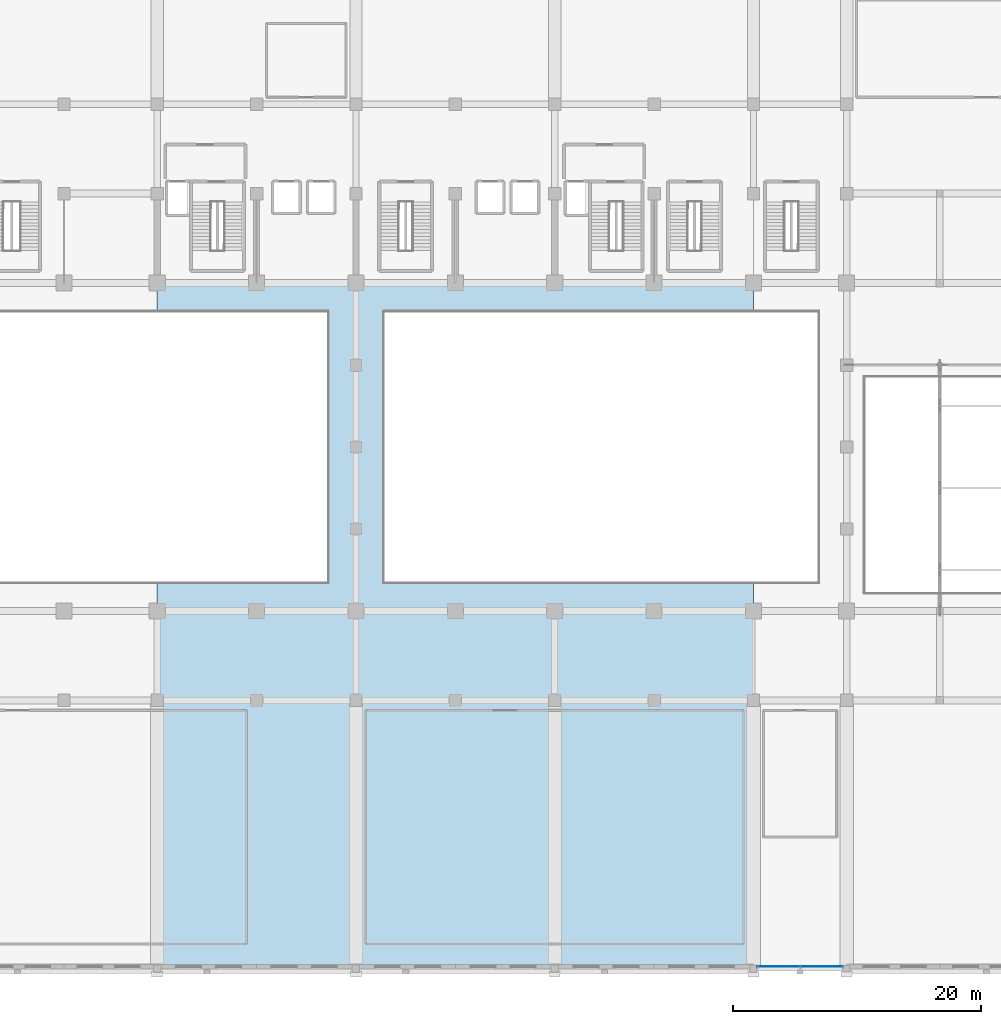
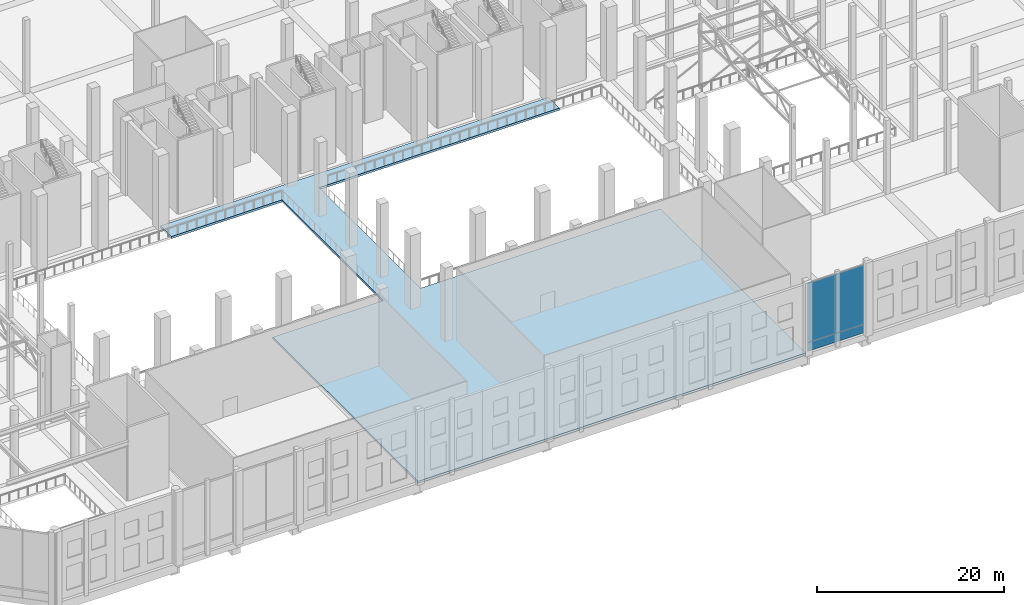
# One storey, part 54 of 80: 3 plates, 1 slab, 1 element without a shape of its own.
"""IFC4 building model written with IfcOpenShell, lengths in metres."""

from ifc_helpers import new_model, si_unit, direction, frame, origin, origin_2d, place, context, subcontext, project, spatial, polyline, rectangle, outline, extrude, material, layer, layer_set, type_object, element, aggregate, save


model = new_model("IFC4")

# Units and contexts
model_context = context("Model", 3, precision=1e-05, world=origin(), true_north=direction((0.0, 1.0)))
body_context = subcontext(model_context, "Body", "Model", "MODEL_VIEW")
ifc_project = project(units=[si_unit("LENGTHUNIT", "METRE"), si_unit("AREAUNIT", "SQUARE_METRE"), si_unit("VOLUMEUNIT", "CUBIC_METRE"), si_unit("PLANEANGLEUNIT", "RADIAN"), si_unit("MASSUNIT", "GRAM", prefix="KILO")], contexts=[model_context])

# Site, building, storey
site_placement = place(None, origin())
site = spatial("IfcSite", under=ifc_project, at=site_placement, CompositionType="ELEMENT")
building_placement = place(site_placement, origin())
building = spatial("IfcBuilding", under=site, at=building_placement, Name="Akrevak Sports Hall", CompositionType="ELEMENT")
storey_placement = place(building_placement, frame((0.0, 0.0, 14.0)))
storey = spatial("IfcBuildingStorey", under=building, at=storey_placement, Name="L03", CompositionType="ELEMENT", Elevation=14.0)

# Curtain wall, plates
ifc_material_1 = material(Name="Anodized Bronze Aluminium & Low-E Glass", Category="aluminium")
curtain_wall_type = type_object("IfcCurtainWallType", Name="ARC-CW-POD-64x94", PredefinedType="NOTDEFINED", material=ifc_material_1)
curtain_wall_placement = place(storey_placement, origin())
curtain_wall = element("IfcCurtainWall", 1, at=curtain_wall_placement, inside=storey, type_object=curtain_wall_type, Name="Curtain Wall CW-L03-S13", PredefinedType="NOTDEFINED")
ifc_material_2 = material(Name="Double Low-E Tempered Glass", Category="glass")
ifc_layer_1 = layer(ifc_material_2, 0.035888671875, Name="Double Low-E Tempered Glass")
ifc_layer_set_1 = layer_set([ifc_layer_1], Name="Double Low-E Tempered Glass")
plate_type_1 = type_object("IfcPlateType", Name="ARC-CWP-GLZ-36", PredefinedType="CURTAIN_PANEL", material=ifc_layer_set_1)
plate_1_placement = place(storey_placement, frame((110.03125, 0.169921875, 1.14990234375), z_axis=(0.0, 0.0, 1.0), x_axis=(1.0, 0.0, 0.0)))
plate_1 = element("IfcPlate", 2, at=plate_1_placement, type_object=plate_type_1, Name="Vision Glass Panel CW-L03-S13-G1", PredefinedType="CURTAIN_PANEL", context=body_context, shape_type="SweptSolid", body=[
    extrude(rectangle(XDim=3.46240234375, YDim=0.035888671875, at=origin_2d()), origin(), (0.0, 0.0, 1.0), 7.77001953125),
])
plate_2_placement = place(storey_placement, frame((113.49365234375, 0.169921875, 1.14990234375), z_axis=(0.0, 0.0, 1.0), x_axis=(1.0, 0.0, 0.0)))
plate_2 = element("IfcPlate", 3, at=plate_2_placement, type_object=plate_type_1, Name="Vision Glass Panel CW-L03-S13-G2", PredefinedType="CURTAIN_PANEL", context=body_context, shape_type="SweptSolid", body=[
    extrude(rectangle(XDim=3.46240234375, YDim=0.035888671875, at=origin_2d()), origin(), (0.0, 0.0, 1.0), 7.77001953125),
])
ifc_material_3 = material(Name="Insulated Bronze Spandrel Panel", Category="aluminium")
ifc_layer_2 = layer(ifc_material_3, 0.0439453125, Name="Insulated Bronze Spandrel Panel")
ifc_layer_set_2 = layer_set([ifc_layer_2], Name="Insulated Bronze Spandrel Panel")
plate_type_2 = type_object("IfcPlateType", Name="ARC-CWP-SPD-44", PredefinedType="CURTAIN_PANEL", material=ifc_layer_set_2)
plate_3_placement = place(storey_placement, frame((111.762451171875, 0.169921875, 0.0), z_axis=(0.0, 0.0, 1.0), x_axis=(1.0, 0.0, 0.0)))
plate_3 = element("IfcPlate", 4, at=plate_3_placement, type_object=plate_type_2, Name="Insulated Spandrel Panel CW-L03-S13-S1", PredefinedType="CURTAIN_PANEL", context=body_context, shape_type="SweptSolid", body=[
    extrude(rectangle(XDim=6.925048828125, YDim=0.0439453125, at=origin_2d()), origin(), (0.0, 0.0, 1.0), 1.14990234375),
])
aggregate(curtain_wall, [plate_1, plate_2, plate_3])

# Slab
ifc_material_4 = material(Name="Concrete C40/50", Category="concrete")
ifc_layer_3 = layer(ifc_material_4, 0.280029296875, Name="Concrete C40/50")
ifc_layer_set_3 = layer_set([ifc_layer_3], Name="Concrete C40/50")
slab_type = type_object("IfcSlabType", Name="STR-SLB-FLR-280", PredefinedType="FLOOR", material=ifc_layer_set_3)
slab_placement = place(storey_placement, frame((0.0, 0.0, -0.280029296875)))
element("IfcSlab", 5, at=slab_placement, inside=storey, type_object=slab_type, Name="Structural Floor Slab L03-3.1", PredefinedType="FLOOR", context=body_context, shape_type="SweptSolid", body=[
    extrude(outline(polyline([(108.0, 0.0), (108.0, 31.14990234375), (78.300048828125, 31.14990234375), (78.300048828125, 52.85009765625), (108.0, 52.85009765625), (108.0, 55.199951171875), (60.0, 55.199951171875), (60.0, 52.85009765625), (73.699951171875, 52.85009765625), (73.699951171875, 31.14990234375), (60.0, 31.14990234375), (60.0, 0.0), (108.0, 0.0)])), origin(), (0.0, 0.0, 1.0), 0.280029296875),
])

save(model, "model.ifc")
